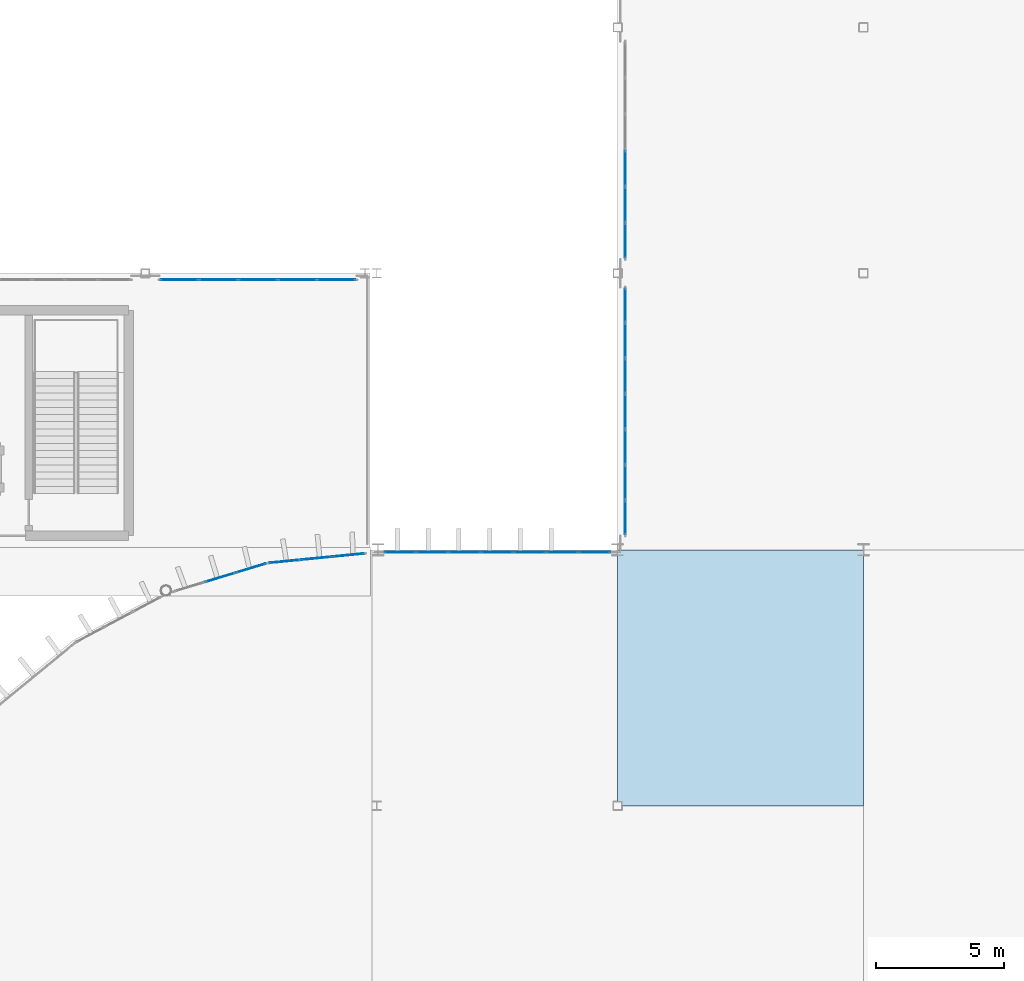
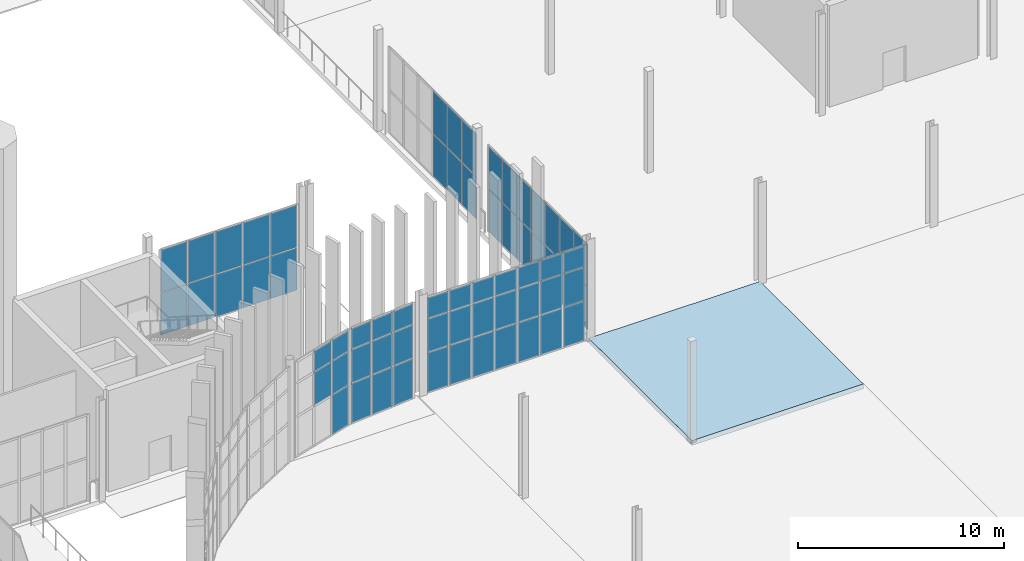
# One storey, part 78 of 139: 65 plates, 1 slab, 6 elements without a shape of their own.
"""IFC4 building model written with IfcOpenShell, lengths in metres."""

from ifc_helpers import new_model, si_unit, direction, frame, origin, origin_2d, place, context, subcontext, project, spatial, polyline, rectangle, outline, extrude, material, layer, layer_set, type_object, element, aggregate, save


model = new_model("IFC4")

# Units and contexts
model_context = context("Model", 3, precision=1e-05, world=origin(), true_north=direction((0.0, 1.0)))
body_context = subcontext(model_context, "Body", "Model", "MODEL_VIEW")
ifc_project = project(units=[si_unit("LENGTHUNIT", "METRE"), si_unit("AREAUNIT", "SQUARE_METRE"), si_unit("VOLUMEUNIT", "CUBIC_METRE"), si_unit("PLANEANGLEUNIT", "RADIAN"), si_unit("MASSUNIT", "GRAM", prefix="KILO")], contexts=[model_context])

# Site, building, storey
site_placement = place(None, origin())
site = spatial("IfcSite", under=ifc_project, at=site_placement, CompositionType="ELEMENT")
building_placement = place(site_placement, origin())
building = spatial("IfcBuilding", under=site, at=building_placement, Name="Yeouljin Market Hall", CompositionType="ELEMENT")
storey_placement = place(building_placement, origin())
storey = spatial("IfcBuildingStorey", under=building, at=storey_placement, Name="L00", CompositionType="ELEMENT", Elevation=0.0)

# Curtain wall, plates
ifc_material_1 = material(Name="Thermally Broken Aluminium", Category="aluminium")
ifc_layer_1 = layer(ifc_material_1, 0.179931640625)
ifc_layer_set_1 = layer_set([ifc_layer_1], Name="Thermally Broken Aluminium")
curtain_wall_type_1 = type_object("IfcCurtainWallType", Name="CW_ApseCurved_System", PredefinedType="USERDEFINED", material=ifc_layer_set_1)
curtain_wall_1_placement = place(storey_placement, origin())
curtain_wall_1 = element("IfcCurtainWall", 1, at=curtain_wall_1_placement, inside=storey, type_object=curtain_wall_type_1, Name="Curtain wall CW-AP-WL00-15", ObjectType="CURTAIN WALL", PredefinedType="USERDEFINED")
ifc_material_2 = material(Name="Low-E Insulated Glass", Category="glass")
ifc_layer_2 = layer(ifc_material_2, 0.031982421875)
ifc_layer_set_2 = layer_set([ifc_layer_2], Name="Low-E Insulated Glass")
plate_type_1 = type_object("IfcPlateType", Name="CWPanel_AcousticGlass_32", PredefinedType="CURTAIN_PANEL", material=ifc_layer_set_2)
plate_1_placement = place(storey_placement, frame((29.48291015625, 76.91943359375, 2.423828125), z_axis=(0.0, 0.0, 1.0), x_axis=(0.95693988447, 0.290286164863, 0.0)))
plate_1 = element("IfcPlate", 2, at=plate_1_placement, type_object=plate_type_1, Name="CW-03 panel 2.2", PredefinedType="CURTAIN_PANEL", context=body_context, shape_type="SweptSolid", body=[
    extrude(rectangle(XDim=1.209716796875, YDim=0.031982421875, at=origin_2d()), origin(), (0.0, 0.0, 1.0), 1.951904296875),
])
plate_2_placement = place(storey_placement, frame((29.48291015625, 76.91943359375, 4.424072265625), z_axis=(0.0, 0.0, 1.0), x_axis=(0.95693988447, 0.290286164863, 0.0)))
plate_2 = element("IfcPlate", 3, at=plate_2_placement, type_object=plate_type_1, Name="CW-03 panel 2.3", PredefinedType="CURTAIN_PANEL", context=body_context, shape_type="SweptSolid", body=[
    extrude(rectangle(XDim=1.209716796875, YDim=0.031982421875, at=origin_2d()), origin(), (0.0, 0.0, 1.0), 1.2080078125),
])
plate_3_placement = place(storey_placement, frame((30.675048828125, 77.28125, 0.0478515625), z_axis=(0.0, 0.0, 1.0), x_axis=(0.95693988447, 0.290286164863, 0.0)))
plate_3 = element("IfcPlate", 4, at=plate_3_placement, type_object=plate_type_1, Name="CW-03 panel 3.1", PredefinedType="CURTAIN_PANEL", context=body_context, shape_type="SweptSolid", body=[
    extrude(rectangle(XDim=1.185791015625, YDim=0.031982421875, at=origin_2d()), origin(), (0.0, 0.0, 1.0), 2.327880859375),
])
plate_4_placement = place(storey_placement, frame((30.675048828125, 77.28125, 2.423828125), z_axis=(0.0, 0.0, 1.0), x_axis=(0.95693988447, 0.290286164863, 0.0)))
plate_4 = element("IfcPlate", 5, at=plate_4_placement, type_object=plate_type_1, Name="CW-03 panel 3.2", PredefinedType="CURTAIN_PANEL", context=body_context, shape_type="SweptSolid", body=[
    extrude(rectangle(XDim=1.185791015625, YDim=0.031982421875, at=origin_2d()), origin(), (0.0, 0.0, 1.0), 1.951904296875),
])
plate_5_placement = place(storey_placement, frame((30.675048828125, 77.28125, 4.424072265625), z_axis=(0.0, 0.0, 1.0), x_axis=(0.95693988447, 0.290286164863, 0.0)))
plate_5 = element("IfcPlate", 6, at=plate_5_placement, type_object=plate_type_1, Name="CW-03 panel 3.3", PredefinedType="CURTAIN_PANEL", context=body_context, shape_type="SweptSolid", body=[
    extrude(rectangle(XDim=1.185791015625, YDim=0.031982421875, at=origin_2d()), origin(), (0.0, 0.0, 1.0), 1.2080078125),
])
aggregate(curtain_wall_1, [plate_1, plate_2, plate_3, plate_4, plate_5])

curtain_wall_2_placement = place(storey_placement, origin())
curtain_wall_2 = element("IfcCurtainWall", 7, at=curtain_wall_2_placement, inside=storey, type_object=curtain_wall_type_1, Name="Curtain wall CW-AP-WL00-16", ObjectType="CURTAIN WALL", PredefinedType="USERDEFINED")
plate_6_placement = place(storey_placement, frame((32.004150390625, 77.54541015625, 0.0478515625), z_axis=(0.0, 0.0, 1.0), x_axis=(0.995183051807, 0.09803414403, 0.0)))
plate_6 = element("IfcPlate", 8, at=plate_6_placement, type_object=plate_type_1, Name="CW-03 panel 1.1", PredefinedType="CURTAIN_PANEL", context=body_context, shape_type="SweptSolid", body=[
    extrude(rectangle(XDim=1.185791015625, YDim=0.031982421875, at=origin_2d()), origin(), (0.0, 0.0, 1.0), 2.327880859375),
])
plate_7_placement = place(storey_placement, frame((32.004150390625, 77.54541015625, 2.423828125), z_axis=(0.0, 0.0, 1.0), x_axis=(0.995183051807, 0.09803414403, 0.0)))
plate_7 = element("IfcPlate", 9, at=plate_7_placement, type_object=plate_type_1, Name="CW-03 panel 1.2", PredefinedType="CURTAIN_PANEL", context=body_context, shape_type="SweptSolid", body=[
    extrude(rectangle(XDim=1.185791015625, YDim=0.031982421875, at=origin_2d()), origin(), (0.0, 0.0, 1.0), 1.951904296875),
])
plate_8_placement = place(storey_placement, frame((32.004150390625, 77.54541015625, 4.424072265625), z_axis=(0.0, 0.0, 1.0), x_axis=(0.995183051807, 0.09803414403, 0.0)))
plate_8 = element("IfcPlate", 10, at=plate_8_placement, type_object=plate_type_1, Name="CW-03 panel 1.3", PredefinedType="CURTAIN_PANEL", context=body_context, shape_type="SweptSolid", body=[
    extrude(rectangle(XDim=1.185791015625, YDim=0.031982421875, at=origin_2d()), origin(), (0.0, 0.0, 1.0), 1.2080078125),
])
plate_9_placement = place(storey_placement, frame((33.243896484375, 77.667724609375, 0.0478515625), z_axis=(0.0, 0.0, 1.0), x_axis=(0.995183051807, 0.09803414403, 0.0)))
plate_9 = element("IfcPlate", 11, at=plate_9_placement, type_object=plate_type_1, Name="CW-03 panel 2.1", PredefinedType="CURTAIN_PANEL", context=body_context, shape_type="SweptSolid", body=[
    extrude(rectangle(XDim=1.209716796875, YDim=0.031982421875, at=origin_2d()), origin(), (0.0, 0.0, 1.0), 2.327880859375),
])
plate_10_placement = place(storey_placement, frame((33.243896484375, 77.667724609375, 2.423828125), z_axis=(0.0, 0.0, 1.0), x_axis=(0.995183051807, 0.09803414403, 0.0)))
plate_10 = element("IfcPlate", 12, at=plate_10_placement, type_object=plate_type_1, Name="CW-03 panel 2.2", PredefinedType="CURTAIN_PANEL", context=body_context, shape_type="SweptSolid", body=[
    extrude(rectangle(XDim=1.209716796875, YDim=0.031982421875, at=origin_2d()), origin(), (0.0, 0.0, 1.0), 1.951904296875),
])
plate_11_placement = place(storey_placement, frame((33.243896484375, 77.667724609375, 4.424072265625), z_axis=(0.0, 0.0, 1.0), x_axis=(0.995183051807, 0.09803414403, 0.0)))
plate_11 = element("IfcPlate", 13, at=plate_11_placement, type_object=plate_type_1, Name="CW-03 panel 2.3", PredefinedType="CURTAIN_PANEL", context=body_context, shape_type="SweptSolid", body=[
    extrude(rectangle(XDim=1.209716796875, YDim=0.031982421875, at=origin_2d()), origin(), (0.0, 0.0, 1.0), 1.2080078125),
])
plate_12_placement = place(storey_placement, frame((34.483642578125, 77.789794921875, 0.0478515625), z_axis=(0.0, 0.0, 1.0), x_axis=(0.995183051807, 0.09803414403, 0.0)))
plate_12 = element("IfcPlate", 14, at=plate_12_placement, type_object=plate_type_1, Name="CW-03 panel 3.1", PredefinedType="CURTAIN_PANEL", context=body_context, shape_type="SweptSolid", body=[
    extrude(rectangle(XDim=1.185791015625, YDim=0.031982421875, at=origin_2d()), origin(), (0.0, 0.0, 1.0), 2.327880859375),
])
plate_13_placement = place(storey_placement, frame((34.483642578125, 77.789794921875, 2.423828125), z_axis=(0.0, 0.0, 1.0), x_axis=(0.995183051807, 0.09803414403, 0.0)))
plate_13 = element("IfcPlate", 15, at=plate_13_placement, type_object=plate_type_1, Name="CW-03 panel 3.2", PredefinedType="CURTAIN_PANEL", context=body_context, shape_type="SweptSolid", body=[
    extrude(rectangle(XDim=1.185791015625, YDim=0.031982421875, at=origin_2d()), origin(), (0.0, 0.0, 1.0), 1.951904296875),
])
plate_14_placement = place(storey_placement, frame((34.483642578125, 77.789794921875, 4.424072265625), z_axis=(0.0, 0.0, 1.0), x_axis=(0.995183051807, 0.09803414403, 0.0)))
plate_14 = element("IfcPlate", 16, at=plate_14_placement, type_object=plate_type_1, Name="CW-03 panel 3.3", PredefinedType="CURTAIN_PANEL", context=body_context, shape_type="SweptSolid", body=[
    extrude(rectangle(XDim=1.185791015625, YDim=0.031982421875, at=origin_2d()), origin(), (0.0, 0.0, 1.0), 1.2080078125),
])
aggregate(curtain_wall_2, [plate_6, plate_7, plate_8, plate_9, plate_10, plate_11, plate_12, plate_13, plate_14])

ifc_material_3 = material(Name="Thermally Broken Aluminium", Category="aluminium")
ifc_layer_3 = layer(ifc_material_3, 0.179931640625)
ifc_layer_set_3 = layer_set([ifc_layer_3], Name="Thermally Broken Aluminium")
curtain_wall_type_2 = type_object("IfcCurtainWallType", Name="CW_HallNave_System", PredefinedType="USERDEFINED", material=ifc_layer_set_3)
curtain_wall_3_placement = place(storey_placement, origin())
curtain_wall_3 = element("IfcCurtainWall", 17, at=curtain_wall_3_placement, inside=storey, type_object=curtain_wall_type_2, Name="Curtain wall CW-V1N-L00-01", ObjectType="CURTAIN WALL", PredefinedType="USERDEFINED")
ifc_material_4 = material(Name="Low-E Insulated Glass", Category="glass")
ifc_layer_4 = layer(ifc_material_4, 0.028076171875)
ifc_layer_set_4 = layer_set([ifc_layer_4], Name="Low-E Insulated Glass")
plate_type_2 = type_object("IfcPlateType", Name="CWPanel_LowE_28", PredefinedType="CURTAIN_PANEL", material=ifc_layer_set_4)
plate_15_placement = place(storey_placement, frame((36.497802734375, 77.89990234375, 0.0478515625), z_axis=(0.0, 0.0, 1.0), x_axis=(1.0, 0.0, 0.0)))
plate_15 = element("IfcPlate", 18, at=plate_15_placement, type_object=plate_type_2, Name="CW-01 panel 1.1", PredefinedType="CURTAIN_PANEL", context=body_context, shape_type="SweptSolid", body=[
    extrude(rectangle(XDim=1.199462890625, YDim=0.028076171875, at=origin_2d()), origin(), (0.0, 0.0, 1.0), 2.327880859375),
])
plate_16_placement = place(storey_placement, frame((36.497802734375, 77.89990234375, 2.423828125), z_axis=(0.0, 0.0, 1.0), x_axis=(1.0, 0.0, 0.0)))
plate_16 = element("IfcPlate", 19, at=plate_16_placement, type_object=plate_type_2, Name="CW-01 panel 1.2", PredefinedType="CURTAIN_PANEL", context=body_context, shape_type="SweptSolid", body=[
    extrude(rectangle(XDim=1.199462890625, YDim=0.028076171875, at=origin_2d()), origin(), (0.0, 0.0, 1.0), 1.951904296875),
])
plate_17_placement = place(storey_placement, frame((36.497802734375, 77.89990234375, 4.424072265625), z_axis=(0.0, 0.0, 1.0), x_axis=(1.0, 0.0, 0.0)))
plate_17 = element("IfcPlate", 20, at=plate_17_placement, type_object=plate_type_2, Name="CW-01 panel 1.3", PredefinedType="CURTAIN_PANEL", context=body_context, shape_type="SweptSolid", body=[
    extrude(rectangle(XDim=1.199462890625, YDim=0.028076171875, at=origin_2d()), origin(), (0.0, 0.0, 1.0), 1.2080078125),
])
plate_18_placement = place(storey_placement, frame((37.757080078125, 77.89990234375, 0.0478515625), z_axis=(0.0, 0.0, 1.0), x_axis=(1.0, 0.0, 0.0)))
plate_18 = element("IfcPlate", 21, at=plate_18_placement, type_object=plate_type_2, Name="CW-01 panel 2.1", PredefinedType="CURTAIN_PANEL", context=body_context, shape_type="SweptSolid", body=[
    extrude(rectangle(XDim=1.223388671875, YDim=0.028076171875, at=origin_2d()), origin(), (0.0, 0.0, 1.0), 2.327880859375),
])
plate_19_placement = place(storey_placement, frame((37.757080078125, 77.89990234375, 2.423828125), z_axis=(0.0, 0.0, 1.0), x_axis=(1.0, 0.0, 0.0)))
plate_19 = element("IfcPlate", 22, at=plate_19_placement, type_object=plate_type_2, Name="CW-01 panel 2.2", PredefinedType="CURTAIN_PANEL", context=body_context, shape_type="SweptSolid", body=[
    extrude(rectangle(XDim=1.223388671875, YDim=0.028076171875, at=origin_2d()), origin(), (0.0, 0.0, 1.0), 1.951904296875),
])
plate_20_placement = place(storey_placement, frame((37.757080078125, 77.89990234375, 4.424072265625), z_axis=(0.0, 0.0, 1.0), x_axis=(1.0, 0.0, 0.0)))
plate_20 = element("IfcPlate", 23, at=plate_20_placement, type_object=plate_type_2, Name="CW-01 panel 2.3", PredefinedType="CURTAIN_PANEL", context=body_context, shape_type="SweptSolid", body=[
    extrude(rectangle(XDim=1.223388671875, YDim=0.028076171875, at=origin_2d()), origin(), (0.0, 0.0, 1.0), 1.2080078125),
])
plate_21_placement = place(storey_placement, frame((39.028564453125, 77.89990234375, 0.0478515625), z_axis=(0.0, 0.0, 1.0), x_axis=(1.0, 0.0, 0.0)))
plate_21 = element("IfcPlate", 24, at=plate_21_placement, type_object=plate_type_2, Name="CW-01 panel 3.1", PredefinedType="CURTAIN_PANEL", context=body_context, shape_type="SweptSolid", body=[
    extrude(rectangle(XDim=1.223388671875, YDim=0.028076171875, at=origin_2d()), origin(), (0.0, 0.0, 1.0), 2.327880859375),
])
plate_22_placement = place(storey_placement, frame((39.028564453125, 77.89990234375, 2.423828125), z_axis=(0.0, 0.0, 1.0), x_axis=(1.0, 0.0, 0.0)))
plate_22 = element("IfcPlate", 25, at=plate_22_placement, type_object=plate_type_2, Name="CW-01 panel 3.2", PredefinedType="CURTAIN_PANEL", context=body_context, shape_type="SweptSolid", body=[
    extrude(rectangle(XDim=1.223388671875, YDim=0.028076171875, at=origin_2d()), origin(), (0.0, 0.0, 1.0), 1.951904296875),
])
plate_23_placement = place(storey_placement, frame((39.028564453125, 77.89990234375, 4.424072265625), z_axis=(0.0, 0.0, 1.0), x_axis=(1.0, 0.0, 0.0)))
plate_23 = element("IfcPlate", 26, at=plate_23_placement, type_object=plate_type_2, Name="CW-01 panel 3.3", PredefinedType="CURTAIN_PANEL", context=body_context, shape_type="SweptSolid", body=[
    extrude(rectangle(XDim=1.223388671875, YDim=0.028076171875, at=origin_2d()), origin(), (0.0, 0.0, 1.0), 1.2080078125),
])
plate_24_placement = place(storey_placement, frame((40.300048828125, 77.89990234375, 0.0478515625), z_axis=(0.0, 0.0, 1.0), x_axis=(1.0, 0.0, 0.0)))
plate_24 = element("IfcPlate", 27, at=plate_24_placement, type_object=plate_type_2, Name="CW-01 panel 4.1", PredefinedType="CURTAIN_PANEL", context=body_context, shape_type="SweptSolid", body=[
    extrude(rectangle(XDim=1.223388671875, YDim=0.028076171875, at=origin_2d()), origin(), (0.0, 0.0, 1.0), 2.327880859375),
])
plate_25_placement = place(storey_placement, frame((40.300048828125, 77.89990234375, 2.423828125), z_axis=(0.0, 0.0, 1.0), x_axis=(1.0, 0.0, 0.0)))
plate_25 = element("IfcPlate", 28, at=plate_25_placement, type_object=plate_type_2, Name="CW-01 panel 4.2", PredefinedType="CURTAIN_PANEL", context=body_context, shape_type="SweptSolid", body=[
    extrude(rectangle(XDim=1.223388671875, YDim=0.028076171875, at=origin_2d()), origin(), (0.0, 0.0, 1.0), 1.951904296875),
])
plate_26_placement = place(storey_placement, frame((40.300048828125, 77.89990234375, 4.424072265625), z_axis=(0.0, 0.0, 1.0), x_axis=(1.0, 0.0, 0.0)))
plate_26 = element("IfcPlate", 29, at=plate_26_placement, type_object=plate_type_2, Name="CW-01 panel 4.3", PredefinedType="CURTAIN_PANEL", context=body_context, shape_type="SweptSolid", body=[
    extrude(rectangle(XDim=1.223388671875, YDim=0.028076171875, at=origin_2d()), origin(), (0.0, 0.0, 1.0), 1.2080078125),
])
plate_27_placement = place(storey_placement, frame((41.571533203125, 77.89990234375, 0.0478515625), z_axis=(0.0, 0.0, 1.0), x_axis=(1.0, 0.0, 0.0)))
plate_27 = element("IfcPlate", 30, at=plate_27_placement, type_object=plate_type_2, Name="CW-01 panel 5.1", PredefinedType="CURTAIN_PANEL", context=body_context, shape_type="SweptSolid", body=[
    extrude(rectangle(XDim=1.223388671875, YDim=0.028076171875, at=origin_2d()), origin(), (0.0, 0.0, 1.0), 2.327880859375),
])
plate_28_placement = place(storey_placement, frame((41.571533203125, 77.89990234375, 2.423828125), z_axis=(0.0, 0.0, 1.0), x_axis=(1.0, 0.0, 0.0)))
plate_28 = element("IfcPlate", 31, at=plate_28_placement, type_object=plate_type_2, Name="CW-01 panel 5.2", PredefinedType="CURTAIN_PANEL", context=body_context, shape_type="SweptSolid", body=[
    extrude(rectangle(XDim=1.223388671875, YDim=0.028076171875, at=origin_2d()), origin(), (0.0, 0.0, 1.0), 1.951904296875),
])
plate_29_placement = place(storey_placement, frame((41.571533203125, 77.89990234375, 4.424072265625), z_axis=(0.0, 0.0, 1.0), x_axis=(1.0, 0.0, 0.0)))
plate_29 = element("IfcPlate", 32, at=plate_29_placement, type_object=plate_type_2, Name="CW-01 panel 5.3", PredefinedType="CURTAIN_PANEL", context=body_context, shape_type="SweptSolid", body=[
    extrude(rectangle(XDim=1.223388671875, YDim=0.028076171875, at=origin_2d()), origin(), (0.0, 0.0, 1.0), 1.2080078125),
])
plate_30_placement = place(storey_placement, frame((42.8427734375, 77.89990234375, 0.0478515625), z_axis=(0.0, 0.0, 1.0), x_axis=(1.0, 0.0, 0.0)))
plate_30 = element("IfcPlate", 33, at=plate_30_placement, type_object=plate_type_2, Name="CW-01 panel 6.1", PredefinedType="CURTAIN_PANEL", context=body_context, shape_type="SweptSolid", body=[
    extrude(rectangle(XDim=1.223388671875, YDim=0.028076171875, at=origin_2d()), origin(), (0.0, 0.0, 1.0), 2.327880859375),
])
plate_31_placement = place(storey_placement, frame((42.8427734375, 77.89990234375, 2.423828125), z_axis=(0.0, 0.0, 1.0), x_axis=(1.0, 0.0, 0.0)))
plate_31 = element("IfcPlate", 34, at=plate_31_placement, type_object=plate_type_2, Name="CW-01 panel 6.2", PredefinedType="CURTAIN_PANEL", context=body_context, shape_type="SweptSolid", body=[
    extrude(rectangle(XDim=1.223388671875, YDim=0.028076171875, at=origin_2d()), origin(), (0.0, 0.0, 1.0), 1.951904296875),
])
plate_32_placement = place(storey_placement, frame((42.8427734375, 77.89990234375, 4.424072265625), z_axis=(0.0, 0.0, 1.0), x_axis=(1.0, 0.0, 0.0)))
plate_32 = element("IfcPlate", 35, at=plate_32_placement, type_object=plate_type_2, Name="CW-01 panel 6.3", PredefinedType="CURTAIN_PANEL", context=body_context, shape_type="SweptSolid", body=[
    extrude(rectangle(XDim=1.223388671875, YDim=0.028076171875, at=origin_2d()), origin(), (0.0, 0.0, 1.0), 1.2080078125),
])
plate_33_placement = place(storey_placement, frame((44.102294921875, 77.89990234375, 0.0478515625), z_axis=(0.0, 0.0, 1.0), x_axis=(1.0, 0.0, 0.0)))
plate_33 = element("IfcPlate", 36, at=plate_33_placement, type_object=plate_type_2, Name="CW-01 panel 7.1", PredefinedType="CURTAIN_PANEL", context=body_context, shape_type="SweptSolid", body=[
    extrude(rectangle(XDim=1.199462890625, YDim=0.028076171875, at=origin_2d()), origin(), (0.0, 0.0, 1.0), 2.327880859375),
])
plate_34_placement = place(storey_placement, frame((44.102294921875, 77.89990234375, 2.423828125), z_axis=(0.0, 0.0, 1.0), x_axis=(1.0, 0.0, 0.0)))
plate_34 = element("IfcPlate", 37, at=plate_34_placement, type_object=plate_type_2, Name="CW-01 panel 7.2", PredefinedType="CURTAIN_PANEL", context=body_context, shape_type="SweptSolid", body=[
    extrude(rectangle(XDim=1.199462890625, YDim=0.028076171875, at=origin_2d()), origin(), (0.0, 0.0, 1.0), 1.951904296875),
])
plate_35_placement = place(storey_placement, frame((44.102294921875, 77.89990234375, 4.424072265625), z_axis=(0.0, 0.0, 1.0), x_axis=(1.0, 0.0, 0.0)))
plate_35 = element("IfcPlate", 38, at=plate_35_placement, type_object=plate_type_2, Name="CW-01 panel 7.3", PredefinedType="CURTAIN_PANEL", context=body_context, shape_type="SweptSolid", body=[
    extrude(rectangle(XDim=1.199462890625, YDim=0.028076171875, at=origin_2d()), origin(), (0.0, 0.0, 1.0), 1.2080078125),
])
aggregate(curtain_wall_3, [plate_15, plate_16, plate_17, plate_18, plate_19, plate_20, plate_21, plate_22, plate_23, plate_24, plate_25, plate_26, plate_27, plate_28, plate_29, plate_30, plate_31, plate_32, plate_33, plate_34, plate_35])

ifc_material_5 = material(Name="Thermally Broken Aluminium", Category="aluminium")
ifc_layer_5 = layer(ifc_material_5, 0.14990234375)
ifc_layer_set_5 = layer_set([ifc_layer_5], Name="Thermally Broken Aluminium")
curtain_wall_type_3 = type_object("IfcCurtainWallType", Name="CW_WingStorefront_System", PredefinedType="USERDEFINED", material=ifc_layer_set_5)
curtain_wall_4_placement = place(storey_placement, origin())
curtain_wall_4 = element("IfcCurtainWall", 39, at=curtain_wall_4_placement, inside=storey, type_object=curtain_wall_type_3, Name="Curtain wall CW-CRT-L00-03", ObjectType="CURTAIN WALL", PredefinedType="USERDEFINED")
plate_36_placement = place(storey_placement, frame((27.882080078125, 88.550048828125, 0.0478515625), z_axis=(0.0, 0.0, 1.0), x_axis=(1.0, 0.0, 0.0)))
plate_36 = element("IfcPlate", 40, at=plate_36_placement, type_object=plate_type_2, Name="CW-04 panel 1.1", PredefinedType="CURTAIN_PANEL", context=body_context, shape_type="SweptSolid", body=[
    extrude(rectangle(XDim=1.468017578125, YDim=0.028076171875, at=origin_2d()), origin(), (0.0, 0.0, 1.0), 2.488037109375),
])
plate_37_placement = place(storey_placement, frame((27.882080078125, 88.550048828125, 2.583984375), z_axis=(0.0, 0.0, 1.0), x_axis=(1.0, 0.0, 0.0)))
plate_37 = element("IfcPlate", 41, at=plate_37_placement, type_object=plate_type_2, Name="CW-04 panel 1.2", PredefinedType="CURTAIN_PANEL", context=body_context, shape_type="SweptSolid", body=[
    extrude(rectangle(XDim=1.468017578125, YDim=0.028076171875, at=origin_2d()), origin(), (0.0, 0.0, 1.0), 2.488037109375),
])
plate_38_placement = place(storey_placement, frame((29.409912109375, 88.550048828125, 0.0478515625), z_axis=(0.0, 0.0, 1.0), x_axis=(1.0, 0.0, 0.0)))
plate_38 = element("IfcPlate", 42, at=plate_38_placement, type_object=plate_type_2, Name="CW-04 panel 2.1", PredefinedType="CURTAIN_PANEL", context=body_context, shape_type="SweptSolid", body=[
    extrude(rectangle(XDim=1.491943359375, YDim=0.028076171875, at=origin_2d()), origin(), (0.0, 0.0, 1.0), 2.488037109375),
])
plate_39_placement = place(storey_placement, frame((29.409912109375, 88.550048828125, 2.583984375), z_axis=(0.0, 0.0, 1.0), x_axis=(1.0, 0.0, 0.0)))
plate_39 = element("IfcPlate", 43, at=plate_39_placement, type_object=plate_type_2, Name="CW-04 panel 2.2", PredefinedType="CURTAIN_PANEL", context=body_context, shape_type="SweptSolid", body=[
    extrude(rectangle(XDim=1.491943359375, YDim=0.028076171875, at=origin_2d()), origin(), (0.0, 0.0, 1.0), 2.488037109375),
])
plate_40_placement = place(storey_placement, frame((30.949951171875, 88.550048828125, 0.0478515625), z_axis=(0.0, 0.0, 1.0), x_axis=(1.0, 0.0, 0.0)))
plate_40 = element("IfcPlate", 44, at=plate_40_placement, type_object=plate_type_2, Name="CW-04 panel 3.1", PredefinedType="CURTAIN_PANEL", context=body_context, shape_type="SweptSolid", body=[
    extrude(rectangle(XDim=1.491943359375, YDim=0.028076171875, at=origin_2d()), origin(), (0.0, 0.0, 1.0), 2.488037109375),
])
plate_41_placement = place(storey_placement, frame((30.949951171875, 88.550048828125, 2.583984375), z_axis=(0.0, 0.0, 1.0), x_axis=(1.0, 0.0, 0.0)))
plate_41 = element("IfcPlate", 45, at=plate_41_placement, type_object=plate_type_2, Name="CW-04 panel 3.2", PredefinedType="CURTAIN_PANEL", context=body_context, shape_type="SweptSolid", body=[
    extrude(rectangle(XDim=1.491943359375, YDim=0.028076171875, at=origin_2d()), origin(), (0.0, 0.0, 1.0), 2.488037109375),
])
plate_42_placement = place(storey_placement, frame((32.489990234375, 88.550048828125, 0.0478515625), z_axis=(0.0, 0.0, 1.0), x_axis=(1.0, 0.0, 0.0)))
plate_42 = element("IfcPlate", 46, at=plate_42_placement, type_object=plate_type_2, Name="CW-04 panel 4.1", PredefinedType="CURTAIN_PANEL", context=body_context, shape_type="SweptSolid", body=[
    extrude(rectangle(XDim=1.491943359375, YDim=0.028076171875, at=origin_2d()), origin(), (0.0, 0.0, 1.0), 2.488037109375),
])
plate_43_placement = place(storey_placement, frame((32.489990234375, 88.550048828125, 2.583984375), z_axis=(0.0, 0.0, 1.0), x_axis=(1.0, 0.0, 0.0)))
plate_43 = element("IfcPlate", 47, at=plate_43_placement, type_object=plate_type_2, Name="CW-04 panel 4.2", PredefinedType="CURTAIN_PANEL", context=body_context, shape_type="SweptSolid", body=[
    extrude(rectangle(XDim=1.491943359375, YDim=0.028076171875, at=origin_2d()), origin(), (0.0, 0.0, 1.0), 2.488037109375),
])
plate_44_placement = place(storey_placement, frame((34.01806640625, 88.550048828125, 0.0478515625), z_axis=(0.0, 0.0, 1.0), x_axis=(1.0, 0.0, 0.0)))
plate_44 = element("IfcPlate", 48, at=plate_44_placement, type_object=plate_type_2, Name="CW-04 panel 5.1", PredefinedType="CURTAIN_PANEL", context=body_context, shape_type="SweptSolid", body=[
    extrude(rectangle(XDim=1.468017578125, YDim=0.028076171875, at=origin_2d()), origin(), (0.0, 0.0, 1.0), 2.488037109375),
])
plate_45_placement = place(storey_placement, frame((34.01806640625, 88.550048828125, 2.583984375), z_axis=(0.0, 0.0, 1.0), x_axis=(1.0, 0.0, 0.0)))
plate_45 = element("IfcPlate", 49, at=plate_45_placement, type_object=plate_type_2, Name="CW-04 panel 5.2", PredefinedType="CURTAIN_PANEL", context=body_context, shape_type="SweptSolid", body=[
    extrude(rectangle(XDim=1.468017578125, YDim=0.028076171875, at=origin_2d()), origin(), (0.0, 0.0, 1.0), 2.488037109375),
])
aggregate(curtain_wall_4, [plate_36, plate_37, plate_38, plate_39, plate_40, plate_41, plate_42, plate_43, plate_44, plate_45])

curtain_wall_5_placement = place(storey_placement, origin())
curtain_wall_5 = element("IfcCurtainWall", 50, at=curtain_wall_5_placement, inside=storey, type_object=curtain_wall_type_3, Name="Curtain wall CW-CRT-L00-15", ObjectType="CURTAIN WALL", PredefinedType="USERDEFINED")
plate_46_placement = place(storey_placement, frame((45.300048828125, 79.2548828125, 0.0478515625), z_axis=(0.0, 0.0, 1.0), x_axis=(0.0, 1.0, 0.0)))
plate_46 = element("IfcPlate", 51, at=plate_46_placement, type_object=plate_type_2, Name="CW-04 panel 1.1", PredefinedType="CURTAIN_PANEL", context=body_context, shape_type="SweptSolid", body=[
    extrude(rectangle(XDim=1.313720703125, YDim=0.028076171875, at=origin_2d()), origin(), (0.0, 0.0, 1.0), 2.488037109375),
])
plate_47_placement = place(storey_placement, frame((45.300048828125, 79.2548828125, 2.583984375), z_axis=(0.0, 0.0, 1.0), x_axis=(0.0, 1.0, 0.0)))
plate_47 = element("IfcPlate", 52, at=plate_47_placement, type_object=plate_type_2, Name="CW-04 panel 1.2", PredefinedType="CURTAIN_PANEL", context=body_context, shape_type="SweptSolid", body=[
    extrude(rectangle(XDim=1.313720703125, YDim=0.028076171875, at=origin_2d()), origin(), (0.0, 0.0, 1.0), 2.488037109375),
])
plate_48_placement = place(storey_placement, frame((45.300048828125, 80.628662109375, 0.0478515625), z_axis=(0.0, 0.0, 1.0), x_axis=(0.0, 1.0, 0.0)))
plate_48 = element("IfcPlate", 53, at=plate_48_placement, type_object=plate_type_2, Name="CW-04 panel 2.1", PredefinedType="CURTAIN_PANEL", context=body_context, shape_type="SweptSolid", body=[
    extrude(rectangle(XDim=1.337646484375, YDim=0.028076171875, at=origin_2d()), origin(), (0.0, 0.0, 1.0), 2.488037109375),
])
plate_49_placement = place(storey_placement, frame((45.300048828125, 80.628662109375, 2.583984375), z_axis=(0.0, 0.0, 1.0), x_axis=(0.0, 1.0, 0.0)))
plate_49 = element("IfcPlate", 54, at=plate_49_placement, type_object=plate_type_2, Name="CW-04 panel 2.2", PredefinedType="CURTAIN_PANEL", context=body_context, shape_type="SweptSolid", body=[
    extrude(rectangle(XDim=1.337646484375, YDim=0.028076171875, at=origin_2d()), origin(), (0.0, 0.0, 1.0), 2.488037109375),
])
plate_50_placement = place(storey_placement, frame((45.300048828125, 82.014404296875, 0.0478515625), z_axis=(0.0, 0.0, 1.0), x_axis=(0.0, 1.0, 0.0)))
plate_50 = element("IfcPlate", 55, at=plate_50_placement, type_object=plate_type_2, Name="CW-04 panel 3.1", PredefinedType="CURTAIN_PANEL", context=body_context, shape_type="SweptSolid", body=[
    extrude(rectangle(XDim=1.337646484375, YDim=0.028076171875, at=origin_2d()), origin(), (0.0, 0.0, 1.0), 2.488037109375),
])
plate_51_placement = place(storey_placement, frame((45.300048828125, 82.014404296875, 2.583984375), z_axis=(0.0, 0.0, 1.0), x_axis=(0.0, 1.0, 0.0)))
plate_51 = element("IfcPlate", 56, at=plate_51_placement, type_object=plate_type_2, Name="CW-04 panel 3.2", PredefinedType="CURTAIN_PANEL", context=body_context, shape_type="SweptSolid", body=[
    extrude(rectangle(XDim=1.337646484375, YDim=0.028076171875, at=origin_2d()), origin(), (0.0, 0.0, 1.0), 2.488037109375),
])
plate_52_placement = place(storey_placement, frame((45.300048828125, 83.39990234375, 0.0478515625), z_axis=(0.0, 0.0, 1.0), x_axis=(0.0, 1.0, 0.0)))
plate_52 = element("IfcPlate", 57, at=plate_52_placement, type_object=plate_type_2, Name="CW-04 panel 4.1", PredefinedType="CURTAIN_PANEL", context=body_context, shape_type="SweptSolid", body=[
    extrude(rectangle(XDim=1.337646484375, YDim=0.028076171875, at=origin_2d()), origin(), (0.0, 0.0, 1.0), 2.488037109375),
])
plate_53_placement = place(storey_placement, frame((45.300048828125, 83.39990234375, 2.583984375), z_axis=(0.0, 0.0, 1.0), x_axis=(0.0, 1.0, 0.0)))
plate_53 = element("IfcPlate", 58, at=plate_53_placement, type_object=plate_type_2, Name="CW-04 panel 4.2", PredefinedType="CURTAIN_PANEL", context=body_context, shape_type="SweptSolid", body=[
    extrude(rectangle(XDim=1.337646484375, YDim=0.028076171875, at=origin_2d()), origin(), (0.0, 0.0, 1.0), 2.488037109375),
])
plate_54_placement = place(storey_placement, frame((45.300048828125, 84.78564453125, 0.0478515625), z_axis=(0.0, 0.0, 1.0), x_axis=(0.0, 1.0, 0.0)))
plate_54 = element("IfcPlate", 59, at=plate_54_placement, type_object=plate_type_2, Name="CW-04 panel 5.1", PredefinedType="CURTAIN_PANEL", context=body_context, shape_type="SweptSolid", body=[
    extrude(rectangle(XDim=1.337646484375, YDim=0.028076171875, at=origin_2d()), origin(), (0.0, 0.0, 1.0), 2.488037109375),
])
plate_55_placement = place(storey_placement, frame((45.300048828125, 84.78564453125, 2.583984375), z_axis=(0.0, 0.0, 1.0), x_axis=(0.0, 1.0, 0.0)))
plate_55 = element("IfcPlate", 60, at=plate_55_placement, type_object=plate_type_2, Name="CW-04 panel 5.2", PredefinedType="CURTAIN_PANEL", context=body_context, shape_type="SweptSolid", body=[
    extrude(rectangle(XDim=1.337646484375, YDim=0.028076171875, at=origin_2d()), origin(), (0.0, 0.0, 1.0), 2.488037109375),
])
plate_56_placement = place(storey_placement, frame((45.300048828125, 86.17138671875, 0.0478515625), z_axis=(0.0, 0.0, 1.0), x_axis=(0.0, 1.0, 0.0)))
plate_56 = element("IfcPlate", 61, at=plate_56_placement, type_object=plate_type_2, Name="CW-04 panel 6.1", PredefinedType="CURTAIN_PANEL", context=body_context, shape_type="SweptSolid", body=[
    extrude(rectangle(XDim=1.337646484375, YDim=0.028076171875, at=origin_2d()), origin(), (0.0, 0.0, 1.0), 2.488037109375),
])
plate_57_placement = place(storey_placement, frame((45.300048828125, 86.17138671875, 2.583984375), z_axis=(0.0, 0.0, 1.0), x_axis=(0.0, 1.0, 0.0)))
plate_57 = element("IfcPlate", 62, at=plate_57_placement, type_object=plate_type_2, Name="CW-04 panel 6.2", PredefinedType="CURTAIN_PANEL", context=body_context, shape_type="SweptSolid", body=[
    extrude(rectangle(XDim=1.337646484375, YDim=0.028076171875, at=origin_2d()), origin(), (0.0, 0.0, 1.0), 2.488037109375),
])
plate_58_placement = place(storey_placement, frame((45.300048828125, 87.545166015625, 0.0478515625), z_axis=(0.0, 0.0, 1.0), x_axis=(0.0, 1.0, 0.0)))
plate_58 = element("IfcPlate", 63, at=plate_58_placement, type_object=plate_type_2, Name="CW-04 panel 7.1", PredefinedType="CURTAIN_PANEL", context=body_context, shape_type="SweptSolid", body=[
    extrude(rectangle(XDim=1.313720703125, YDim=0.028076171875, at=origin_2d()), origin(), (0.0, 0.0, 1.0), 2.488037109375),
])
plate_59_placement = place(storey_placement, frame((45.300048828125, 87.545166015625, 2.583984375), z_axis=(0.0, 0.0, 1.0), x_axis=(0.0, 1.0, 0.0)))
plate_59 = element("IfcPlate", 64, at=plate_59_placement, type_object=plate_type_2, Name="CW-04 panel 7.2", PredefinedType="CURTAIN_PANEL", context=body_context, shape_type="SweptSolid", body=[
    extrude(rectangle(XDim=1.313720703125, YDim=0.028076171875, at=origin_2d()), origin(), (0.0, 0.0, 1.0), 2.488037109375),
])
aggregate(curtain_wall_5, [plate_46, plate_47, plate_48, plate_49, plate_50, plate_51, plate_52, plate_53, plate_54, plate_55, plate_56, plate_57, plate_58, plate_59])

curtain_wall_6_placement = place(storey_placement, origin())
curtain_wall_6 = element("IfcCurtainWall", 65, at=curtain_wall_6_placement, inside=storey, type_object=curtain_wall_type_3, Name="Curtain wall CW-CRT-L00-16", ObjectType="CURTAIN WALL", PredefinedType="USERDEFINED")
plate_60_placement = place(storey_placement, frame((45.300048828125, 90.0703125, 0.0478515625), z_axis=(0.0, 0.0, 1.0), x_axis=(0.0, 1.0, 0.0)))
plate_60 = element("IfcPlate", 66, at=plate_60_placement, type_object=plate_type_2, Name="CW-04 panel 1.1", PredefinedType="CURTAIN_PANEL", context=body_context, shape_type="SweptSolid", body=[
    extrude(rectangle(XDim=1.3447265625, YDim=0.028076171875, at=origin_2d()), origin(), (0.0, 0.0, 1.0), 2.488037109375),
])
plate_61_placement = place(storey_placement, frame((45.300048828125, 90.0703125, 2.583984375), z_axis=(0.0, 0.0, 1.0), x_axis=(0.0, 1.0, 0.0)))
plate_61 = element("IfcPlate", 67, at=plate_61_placement, type_object=plate_type_2, Name="CW-04 panel 1.2", PredefinedType="CURTAIN_PANEL", context=body_context, shape_type="SweptSolid", body=[
    extrude(rectangle(XDim=1.3447265625, YDim=0.028076171875, at=origin_2d()), origin(), (0.0, 0.0, 1.0), 2.488037109375),
])
plate_62_placement = place(storey_placement, frame((45.300048828125, 91.47509765625, 0.0478515625), z_axis=(0.0, 0.0, 1.0), x_axis=(0.0, 1.0, 0.0)))
plate_62 = element("IfcPlate", 68, at=plate_62_placement, type_object=plate_type_2, Name="CW-04 panel 2.1", PredefinedType="CURTAIN_PANEL", context=body_context, shape_type="SweptSolid", body=[
    extrude(rectangle(XDim=1.36865234375, YDim=0.028076171875, at=origin_2d()), origin(), (0.0, 0.0, 1.0), 2.488037109375),
])
plate_63_placement = place(storey_placement, frame((45.300048828125, 91.47509765625, 2.583984375), z_axis=(0.0, 0.0, 1.0), x_axis=(0.0, 1.0, 0.0)))
plate_63 = element("IfcPlate", 69, at=plate_63_placement, type_object=plate_type_2, Name="CW-04 panel 2.2", PredefinedType="CURTAIN_PANEL", context=body_context, shape_type="SweptSolid", body=[
    extrude(rectangle(XDim=1.36865234375, YDim=0.028076171875, at=origin_2d()), origin(), (0.0, 0.0, 1.0), 2.488037109375),
])
plate_64_placement = place(storey_placement, frame((45.300048828125, 92.8916015625, 0.0478515625), z_axis=(0.0, 0.0, 1.0), x_axis=(0.0, 1.0, 0.0)))
plate_64 = element("IfcPlate", 70, at=plate_64_placement, type_object=plate_type_2, Name="CW-04 panel 3.1", PredefinedType="CURTAIN_PANEL", context=body_context, shape_type="SweptSolid", body=[
    extrude(rectangle(XDim=1.36865234375, YDim=0.028076171875, at=origin_2d()), origin(), (0.0, 0.0, 1.0), 2.488037109375),
])
plate_65_placement = place(storey_placement, frame((45.300048828125, 92.8916015625, 2.583984375), z_axis=(0.0, 0.0, 1.0), x_axis=(0.0, 1.0, 0.0)))
plate_65 = element("IfcPlate", 71, at=plate_65_placement, type_object=plate_type_2, Name="CW-04 panel 3.2", PredefinedType="CURTAIN_PANEL", context=body_context, shape_type="SweptSolid", body=[
    extrude(rectangle(XDim=1.36865234375, YDim=0.028076171875, at=origin_2d()), origin(), (0.0, 0.0, 1.0), 2.488037109375),
])
aggregate(curtain_wall_6, [plate_60, plate_61, plate_62, plate_63, plate_64, plate_65])

# Slab
ifc_material_6 = material(Name="Concrete C35/45", Category="concrete")
ifc_layer_6 = layer(ifc_material_6, 0.2900390625)
ifc_layer_set_6 = layer_set([ifc_layer_6], Name="Concrete C35/45")
slab_type = type_object("IfcSlabType", Name="SLB_HALL_290", PredefinedType="FLOOR", material=ifc_layer_set_6)
slab_placement = place(storey_placement, frame((0.0, 0.0, -0.2900390625)))
element("IfcSlab", 72, at=slab_placement, inside=storey, type_object=slab_type, Name="Structural slab SLB-L00-H2", PredefinedType="FLOOR", context=body_context, shape_type="SweptSolid", body=[
    extrude(outline(polyline([(45.0, 68.0), (54.60009765625, 68.0), (54.60009765625, 78.0), (45.0, 78.0), (45.0, 68.0)])), origin(), (0.0, 0.0, 1.0), 0.2900390625),
])

save(model, "model.ifc")
